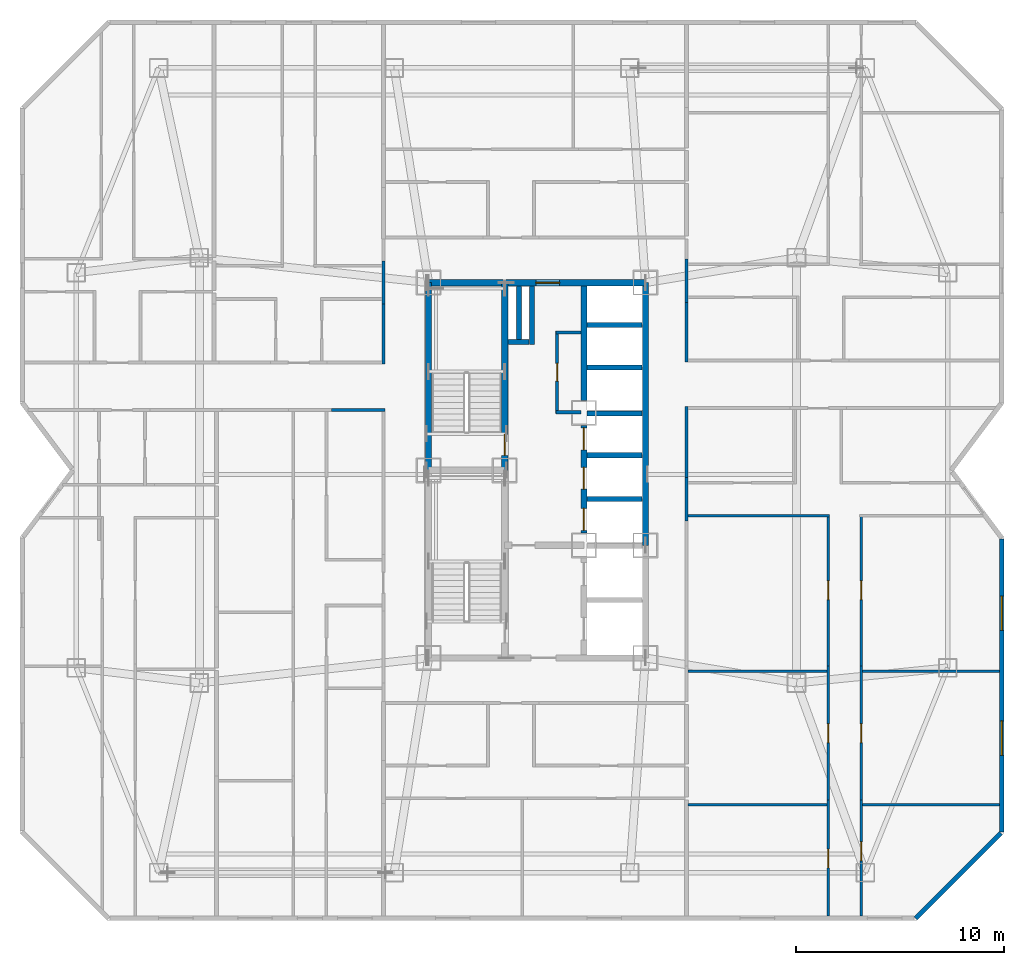
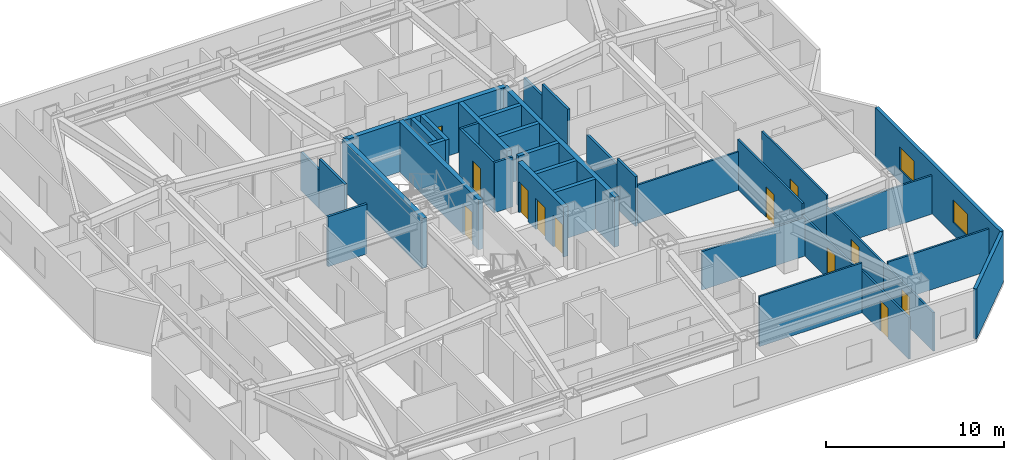
# One storey, part 8 of 12: 37 walls, 12 doors, 2 windows, 14 openings.
"""IFC4 building model written with IfcOpenShell, lengths in metres."""

from ifc_helpers import new_model, si_unit, direction, frame, frame_2d, origin, place, context, subcontext, project, spatial, rectangle, extrude, material, layer, layer_set, type_object, element, fill, save


model = new_model("IFC4")

# Units and contexts
model_context = context("Model", 3, precision=1e-05, world=origin(), true_north=direction((0.0, 1.0)))
body_context = subcontext(model_context, "Body", "Model", "MODEL_VIEW")
ifc_project = project(units=[si_unit("LENGTHUNIT", "METRE"), si_unit("AREAUNIT", "SQUARE_METRE"), si_unit("VOLUMEUNIT", "CUBIC_METRE"), si_unit("PLANEANGLEUNIT", "RADIAN"), si_unit("MASSUNIT", "GRAM", prefix="KILO")], contexts=[model_context])

# Site, building, storey
site_placement = place(None, origin())
site = spatial("IfcSite", under=ifc_project, at=site_placement, CompositionType="ELEMENT")
building_placement = place(site_placement, origin())
building = spatial("IfcBuilding", under=site, at=building_placement, Name="Khamvora Tower", CompositionType="ELEMENT")
storey_placement = place(building_placement, frame((0.0, 0.0, 138.39990234375)))
storey = spatial("IfcBuildingStorey", under=building, at=storey_placement, Name="L35", CompositionType="ELEMENT", Elevation=138.39990234375)

# Wall
ifc_material_1 = material(Name="Concrete C50/60", Category="concrete")
ifc_layer_1 = layer(ifc_material_1, 0.300048828125)
ifc_layer_set_1 = layer_set([ifc_layer_1], Name="Concrete C50/60")
wall_type_1 = type_object("IfcWallType", Name="WAL-CORE-300", PredefinedType="SHEAR", material=ifc_layer_set_1)
wall_1_placement = place(storey_placement, frame((29.0, 28.0, 0.0), z_axis=(0.0, 0.0, 1.0), x_axis=(0.0, 1.0, 0.0)))
element("IfcWall", 1, at=wall_1_placement, inside=storey, type_object=wall_type_1, Name="L35 central core west north wall", PredefinedType="SHEAR", context=body_context, shape_type="SweptSolid", body=[
    extrude(rectangle(XDim=9.0, YDim=0.300048828125, at=frame_2d((4.5, 0.0))), origin(), (0.0, 0.0, 1.0), 3.43017578125),
])

# Wall, opening, door
wall_2_placement = place(storey_placement, frame((29.0, 37.0, 0.0), z_axis=(0.0, 0.0, 1.0), x_axis=(1.0, 0.0, 0.0)))
wall_2 = element("IfcWall", 2, at=wall_2_placement, inside=storey, type_object=wall_type_1, Name="L35 central core north wall", PredefinedType="SHEAR", context=body_context, shape_type="SweptSolid", body=[
    extrude(rectangle(XDim=10.39990234375, YDim=0.300048828125, at=frame_2d((5.199951171875, 0.0))), origin(), (0.0, 0.0, 1.0), 3.43017578125),
])
opening_1_placement = place(wall_2_placement, frame((5.139892578125, 0.0, 0.0)))
opening_1 = element("IfcOpeningElement", 3, at=opening_1_placement, cuts=wall_2, Name="Opening D-SC1", PredefinedType="OPENING", context=body_context, shape_type="SweptSolid", body=[
    extrude(rectangle(XDim=1.14990234375, YDim=2.199951171875, at=frame_2d((0.574951171875, 1.10009765625))), frame((0.0, 0.159912109375, 0.0), z_axis=(0.0, -1.0, 0.0), x_axis=(1.0, 0.0, 0.0)), (0.0, 0.0, 1.0), 0.320068359375),
])
ifc_material_2 = material(Name="Powder-Coated Steel and Hardwood Leaf", Category="steel")
door_type_1 = type_object("IfcDoorType", Name="DOR-SCHL-1150", OperationType="NOTDEFINED", PredefinedType="DOOR", material=ifc_material_2)
door_1_placement = place(opening_1_placement, origin())
door_1 = element("IfcDoor", 4, at=door_1_placement, inside=storey, type_object=door_type_1, Name="L35 north core lobby to corridor fire door", OperationType="SINGLE_SWING_LEFT", OverallHeight=2.199951171875, OverallWidth=1.14990234375, PredefinedType="DOOR", context=body_context, shape_type="SweptSolid", body=[
    extrude(rectangle(XDim=1.14990234375, YDim=2.199951171875, at=frame_2d((0.574951171875, 1.10009765625))), frame((0.0, 0.02490234375, 0.0), z_axis=(0.0, -1.0, 0.0), x_axis=(1.0, 0.0, 0.0)), (0.0, 0.0, 1.0), 0.050048828125),
])
fill(opening_1, door_1)

# Wall
wall_3_placement = place(storey_placement, frame((39.39990234375, 24.39990234375, 0.0), z_axis=(0.0, 0.0, 1.0), x_axis=(0.0, 1.0, 0.0)))
element("IfcWall", 5, at=wall_3_placement, inside=storey, type_object=wall_type_1, Name="L35 central core east north wall", PredefinedType="SHEAR", context=body_context, shape_type="SweptSolid", body=[
    extrude(rectangle(XDim=12.60009765625, YDim=0.300048828125, at=frame_2d((6.300048828125, 0.0))), origin(), (0.0, 0.0, 1.0), 3.43017578125),
])

# Wall, opening, door
wall_4_placement = place(storey_placement, frame((32.64990234375, 28.0, 0.0), z_axis=(0.0, 0.0, 1.0), x_axis=(0.0, 1.0, 0.0)))
wall_4 = element("IfcWall", 6, at=wall_4_placement, inside=storey, type_object=wall_type_1, Name="L35 central core stair north spine wall", PredefinedType="SHEAR", context=body_context, shape_type="SweptSolid", body=[
    extrude(rectangle(XDim=9.0, YDim=0.300048828125, at=frame_2d((4.5, 0.0))), origin(), (0.0, 0.0, 1.0), 3.43017578125),
])
opening_2_placement = place(wall_4_placement, frame((0.719970703125, 0.0, 0.0)))
opening_2 = element("IfcOpeningElement", 7, at=opening_2_placement, cuts=wall_4, Name="Opening D-ST1", PredefinedType="OPENING", context=body_context, shape_type="SweptSolid", body=[
    extrude(rectangle(XDim=1.0, YDim=2.14990234375, at=frame_2d((0.5, 1.074951171875))), frame((0.0, 0.159912109375, 0.0), z_axis=(0.0, -1.0, 0.0), x_axis=(1.0, 0.0, 0.0)), (0.0, 0.0, 1.0), 0.320068359375),
])
door_type_2 = type_object("IfcDoorType", Name="DOR-STAIR-1000", OperationType="NOTDEFINED", PredefinedType="DOOR", material=ifc_material_2)
door_2_placement = place(opening_2_placement, origin())
door_2 = element("IfcDoor", 8, at=door_2_placement, inside=storey, type_object=door_type_2, Name="L35 exit stair ST-02 fire door", OperationType="SINGLE_SWING_RIGHT", OverallHeight=2.14990234375, OverallWidth=1.0, PredefinedType="DOOR", context=body_context, shape_type="SweptSolid", body=[
    extrude(rectangle(XDim=1.0, YDim=2.14990234375, at=frame_2d((0.5, 1.074951171875))), frame((0.0, 0.02490234375, 0.0), z_axis=(0.0, -1.0, 0.0), x_axis=(1.0, 0.0, 0.0)), (0.0, 0.0, 1.0), 0.050048828125),
])
fill(opening_2, door_2)

# Wall, openings, doors
wall_5_placement = place(storey_placement, frame((36.449951171875, 25.0, 0.0), z_axis=(0.0, 0.0, 1.0), x_axis=(0.0, 1.0, 0.0)))
wall_5 = element("IfcWall", 9, at=wall_5_placement, inside=storey, type_object=wall_type_1, Name="L35 central core lift bank central wall", PredefinedType="SHEAR", context=body_context, shape_type="SweptSolid", body=[
    extrude(rectangle(XDim=5.14990234375, YDim=0.300048828125, at=frame_2d((2.574951171875, 0.0))), origin(), (0.0, 0.0, 1.0), 3.43017578125),
])
opening_3_placement = place(wall_5_placement, frame((0.1201171875, 0.0, 0.0)))
opening_3 = element("IfcOpeningElement", 10, at=opening_3_placement, cuts=wall_5, Name="Opening LD-PL", PredefinedType="OPENING", context=body_context, shape_type="SweptSolid", body=[
    extrude(rectangle(XDim=1.050048828125, YDim=2.14990234375, at=frame_2d((0.52490234375, 1.074951171875))), frame((0.0, 0.159912109375, 0.0), z_axis=(0.0, -1.0, 0.0), x_axis=(1.0, 0.0, 0.0)), (0.0, 0.0, 1.0), 0.320068359375),
])
opening_4_placement = place(wall_5_placement, frame((2.094970703125, 0.0, 0.0)))
opening_4 = element("IfcOpeningElement", 11, at=opening_4_placement, cuts=wall_5, Name="Opening LD-PL", PredefinedType="OPENING", context=body_context, shape_type="SweptSolid", body=[
    extrude(rectangle(XDim=1.050048828125, YDim=2.14990234375, at=frame_2d((0.52490234375, 1.074951171875))), frame((0.0, 0.159912109375, 0.0), z_axis=(0.0, -1.0, 0.0), x_axis=(1.0, 0.0, 0.0)), (0.0, 0.0, 1.0), 0.320068359375),
])
opening_5_placement = place(wall_5_placement, frame((3.97998046875, 0.0, 0.0)))
opening_5 = element("IfcOpeningElement", 12, at=opening_5_placement, cuts=wall_5, Name="Opening LD-PL", PredefinedType="OPENING", context=body_context, shape_type="SweptSolid", body=[
    extrude(rectangle(XDim=1.050048828125, YDim=2.14990234375, at=frame_2d((0.52490234375, 1.074951171875))), frame((0.0, 0.159912109375, 0.0), z_axis=(0.0, -1.0, 0.0), x_axis=(1.0, 0.0, 0.0)), (0.0, 0.0, 1.0), 0.320068359375),
])
door_type_3 = type_object("IfcDoorType", Name="DOR-LIFT-1050", OperationType="SLIDING_TO_LEFT", PredefinedType="DOOR", material=ifc_material_2)
door_3_placement = place(opening_3_placement, origin())
door_3 = element("IfcDoor", 13, at=door_3_placement, inside=storey, type_object=door_type_3, Name="L35 lift landing sliding door PL-01", OperationType="SLIDING_TO_LEFT", OverallHeight=2.14990234375, OverallWidth=1.050048828125, PredefinedType="DOOR", context=body_context, shape_type="SweptSolid", body=[
    extrude(rectangle(XDim=1.050048828125, YDim=2.14990234375, at=frame_2d((0.52490234375, 1.074951171875))), frame((0.0, 0.02490234375, 0.0), z_axis=(0.0, -1.0, 0.0), x_axis=(1.0, 0.0, 0.0)), (0.0, 0.0, 1.0), 0.050048828125),
])
fill(opening_3, door_3)
door_4_placement = place(opening_4_placement, origin())
door_4 = element("IfcDoor", 14, at=door_4_placement, inside=storey, type_object=door_type_3, Name="L35 lift landing sliding door PL-02", OperationType="SLIDING_TO_LEFT", OverallHeight=2.14990234375, OverallWidth=1.050048828125, PredefinedType="DOOR", context=body_context, shape_type="SweptSolid", body=[
    extrude(rectangle(XDim=1.050048828125, YDim=2.14990234375, at=frame_2d((0.52490234375, 1.074951171875))), frame((0.0, 0.02490234375, 0.0), z_axis=(0.0, -1.0, 0.0), x_axis=(1.0, 0.0, 0.0)), (0.0, 0.0, 1.0), 0.050048828125),
])
fill(opening_4, door_4)
door_5_placement = place(opening_5_placement, origin())
door_5 = element("IfcDoor", 15, at=door_5_placement, inside=storey, type_object=door_type_3, Name="L35 lift landing sliding door PL-03", OperationType="SLIDING_TO_LEFT", OverallHeight=2.14990234375, OverallWidth=1.050048828125, PredefinedType="DOOR", context=body_context, shape_type="SweptSolid", body=[
    extrude(rectangle(XDim=1.050048828125, YDim=2.14990234375, at=frame_2d((0.52490234375, 1.074951171875))), frame((0.0, 0.02490234375, 0.0), z_axis=(0.0, -1.0, 0.0), x_axis=(1.0, 0.0, 0.0)), (0.0, 0.0, 1.0), 0.050048828125),
])
fill(opening_5, door_5)

# Walls
wall_6_placement = place(storey_placement, frame((36.449951171875, 31.35009765625, 0.0), z_axis=(0.0, 0.0, 1.0), x_axis=(0.0, 1.0, 0.0)))
element("IfcWall", 16, at=wall_6_placement, inside=storey, type_object=wall_type_1, Name="L35 central core lift bank north wall", PredefinedType="SHEAR", context=body_context, shape_type="SweptSolid", body=[
    extrude(rectangle(XDim=5.495849609375, YDim=0.300048828125, at=frame_2d((2.748046875, 0.0))), origin(), (0.0, 0.0, 1.0), 3.43017578125),
])
ifc_material_3 = material(Name="Fire-Rated Drywall and Steel Stud", Category="steel")
ifc_layer_2 = layer(ifc_material_3, 0.14990234375)
ifc_layer_set_2 = layer_set([ifc_layer_2], Name="Fire-Rated Drywall and Steel Stud")
wall_type_2 = type_object("IfcWallType", Name="WAL-CORR-150", PredefinedType="STANDARD", material=ifc_layer_set_2)
wall_7_placement = place(storey_placement, frame((36.305908203125, 34.614990234375, 0.0), z_axis=(0.0, 0.0, 1.0), x_axis=(-1.0, 0.0, 0.0)))
element("IfcWall", 17, at=wall_7_placement, inside=storey, type_object=wall_type_2, Name="L35 interior partition wall 001", PredefinedType="STANDARD", context=body_context, shape_type="SweptSolid", body=[
    extrude(rectangle(XDim=1.205810546875, YDim=0.14990234375, at=frame_2d((0.60302734375, 0.0))), origin(), (0.0, 0.0, 1.0), 3.43017578125),
])

# Wall, opening, door
wall_8_placement = place(storey_placement, frame((35.1650390625, 34.677978515625, 0.0), z_axis=(0.0, 0.0, 1.0), x_axis=(0.0, -1.0, 0.0)))
wall_8 = element("IfcWall", 18, at=wall_8_placement, inside=storey, type_object=wall_type_2, Name="L35 interior partition wall 002", PredefinedType="STANDARD", context=body_context, shape_type="SweptSolid", body=[
    extrude(rectangle(XDim=3.9580078125, YDim=0.14990234375, at=frame_2d((1.97900390625, 0.0))), origin(), (0.0, 0.0, 1.0), 3.43017578125),
])
opening_6_placement = place(wall_8_placement, frame((1.553955078125, 0.0, 0.0)))
opening_6 = element("IfcOpeningElement", 19, at=opening_6_placement, cuts=wall_8, Name="Opening D-WC1", PredefinedType="OPENING", context=body_context, shape_type="SweptSolid", body=[
    extrude(rectangle(XDim=0.85009765625, YDim=2.10009765625, at=frame_2d((0.425048828125, 1.050048828125))), frame((0.0, 0.0849609375, 0.0), z_axis=(0.0, -1.0, 0.0), x_axis=(1.0, 0.0, 0.0)), (0.0, 0.0, 1.0), 0.169921875),
])
door_type_4 = type_object("IfcDoorType", Name="DOR-WET-850", OperationType="NOTDEFINED", PredefinedType="DOOR", material=ifc_material_2)
door_6_placement = place(opening_6_placement, origin())
door_6 = element("IfcDoor", 20, at=door_6_placement, inside=storey, type_object=door_type_4, Name="L35 interior door PLL-CS1", OperationType="SINGLE_SWING_RIGHT", OverallHeight=2.10009765625, OverallWidth=0.85009765625, PredefinedType="DOOR", context=body_context, shape_type="SweptSolid", body=[
    extrude(rectangle(XDim=0.85009765625, YDim=2.10009765625, at=frame_2d((0.425048828125, 1.050048828125))), frame((0.0, 0.02490234375, 0.0), z_axis=(0.0, -1.0, 0.0), x_axis=(1.0, 0.0, 0.0)), (0.0, 0.0, 1.0), 0.050048828125),
])
fill(opening_6, door_6)

# Walls
wall_9_placement = place(storey_placement, frame((35.10205078125, 30.784912109375, 0.0), z_axis=(0.0, 0.0, 1.0), x_axis=(1.0, 0.0, 0.0)))
element("IfcWall", 21, at=wall_9_placement, inside=storey, type_object=wall_type_2, Name="L35 interior partition wall 003", PredefinedType="STANDARD", context=body_context, shape_type="SweptSolid", body=[
    extrude(rectangle(XDim=1.197998046875, YDim=0.14990234375, at=frame_2d((0.59912109375, 0.0))), origin(), (0.0, 0.0, 1.0), 3.43017578125),
])
wall_10_placement = place(storey_placement, frame((26.89794921875, 30.885009765625, 0.0), z_axis=(0.0, 0.0, 1.0), x_axis=(-1.0, 0.0, 0.0)))
element("IfcWall", 22, at=wall_10_placement, inside=storey, type_object=wall_type_2, Name="L35 interior partition wall 012", PredefinedType="STANDARD", context=body_context, shape_type="SweptSolid", body=[
    extrude(rectangle(XDim=2.551025390625, YDim=0.14990234375, at=frame_2d((1.275390625, 0.0))), origin(), (0.0, 0.0, 1.0), 3.43017578125),
])
wall_11_placement = place(storey_placement, frame((26.8349609375, 35.972900390625, 0.0), z_axis=(0.0, 0.0, 1.0), x_axis=(0.0, 1.0, 0.0)))
element("IfcWall", 23, at=wall_11_placement, inside=storey, type_object=wall_type_2, Name="L35 interior partition wall 017", PredefinedType="STANDARD", context=body_context, shape_type="SweptSolid", body=[
    extrude(rectangle(XDim=2.078125, YDim=0.14990234375, at=frame_2d((1.0390625, 0.0))), origin(), (0.0, 0.0, 1.0), 2.647216796875),
])
wall_12_placement = place(storey_placement, frame((26.8349609375, 33.10009765625, 0.0), z_axis=(0.0, 0.0, 1.0), x_axis=(0.0, 1.0, 0.0)))
element("IfcWall", 24, at=wall_12_placement, inside=storey, type_object=wall_type_2, Name="L35 interior partition wall 020", PredefinedType="STANDARD", context=body_context, shape_type="SweptSolid", body=[
    extrude(rectangle(XDim=2.872802734375, YDim=0.14990234375, at=frame_2d((1.4365234375, 0.0))), origin(), (0.0, 0.0, 1.0), 3.43017578125),
])
wall_13_placement = place(storey_placement, frame((41.364990234375, 27.654052734375, 0.0), z_axis=(0.0, 0.0, 1.0), x_axis=(0.0, -1.0, 0.0)))
element("IfcWall", 25, at=wall_13_placement, inside=storey, type_object=wall_type_2, Name="L35 interior partition wall 030", PredefinedType="STANDARD", context=body_context, shape_type="SweptSolid", body=[
    extrude(rectangle(XDim=2.078125, YDim=0.14990234375, at=frame_2d((1.0390625, 0.0))), origin(), (0.0, 0.0, 1.0), 3.43017578125),
])
wall_14_placement = place(storey_placement, frame((41.364990234375, 31.050048828125, 0.0), z_axis=(0.0, 0.0, 1.0), x_axis=(0.0, -1.0, 0.0)))
element("IfcWall", 26, at=wall_14_placement, inside=storey, type_object=wall_type_2, Name="L35 interior partition wall 032", PredefinedType="STANDARD", context=body_context, shape_type="SweptSolid", body=[
    extrude(rectangle(XDim=3.39599609375, YDim=0.14990234375, at=frame_2d((1.697998046875, 0.0))), origin(), (0.0, 0.0, 1.0), 3.01318359375),
])
wall_15_placement = place(storey_placement, frame((41.364990234375, 38.133056640625, 0.0), z_axis=(0.0, 0.0, 1.0), x_axis=(0.0, -1.0, 0.0)))
element("IfcWall", 27, at=wall_15_placement, inside=storey, type_object=wall_type_2, Name="L35 interior partition wall 036", PredefinedType="STANDARD", context=body_context, shape_type="SweptSolid", body=[
    extrude(rectangle(XDim=2.078125, YDim=0.14990234375, at=frame_2d((1.0390625, 0.0))), origin(), (0.0, 0.0, 1.0), 2.647216796875),
])
wall_16_placement = place(storey_placement, frame((41.364990234375, 36.054931640625, 0.0), z_axis=(0.0, 0.0, 1.0), x_axis=(0.0, -1.0, 0.0)))
element("IfcWall", 28, at=wall_16_placement, inside=storey, type_object=wall_type_2, Name="L35 interior partition wall 038", PredefinedType="STANDARD", context=body_context, shape_type="SweptSolid", body=[
    extrude(rectangle(XDim=2.85498046875, YDim=0.14990234375, at=frame_2d((1.427490234375, 0.0))), origin(), (0.0, 0.0, 1.0), 3.43017578125),
])

# Wall, openings, windows
ifc_material_4 = material(Name="Precast concrete C40/50", Category="concrete")
ifc_layer_3 = layer(ifc_material_4, 0.219970703125)
ifc_layer_set_3 = layer_set([ifc_layer_3], Name="Precast concrete C40/50")
wall_type_3 = type_object("IfcWallType", Name="WAL-EXT-220", PredefinedType="STANDARD", material=ifc_layer_set_3)
wall_17_placement = place(storey_placement, frame((56.489990234375, 24.70703125, 0.0), z_axis=(0.0, 0.0, 1.0), x_axis=(0.0, -1.0, 0.0)))
wall_17 = element("IfcWall", 29, at=wall_17_placement, inside=storey, type_object=wall_type_3, Name="L35 exterior facade wall 12.1", PredefinedType="STANDARD", context=body_context, shape_type="SweptSolid", body=[
    extrude(rectangle(XDim=14.06103515625, YDim=0.219970703125, at=frame_2d((7.030517578125, 0.0))), origin(), (0.0, 0.0, 1.0), 3.43017578125),
])
opening_7_placement = place(wall_17_placement, frame((8.72705078125, 0.0, 0.85009765625)))
opening_7 = element("IfcOpeningElement", 30, at=opening_7_placement, cuts=wall_17, Name="Opening WN-06", PredefinedType="OPENING", context=body_context, shape_type="SweptSolid", body=[
    extrude(rectangle(XDim=1.64990234375, YDim=1.550048828125, at=frame_2d((0.824951171875, 0.77490234375))), frame((0.0, 0.119873046875, 0.0), z_axis=(0.0, -1.0, 0.0), x_axis=(1.0, 0.0, 0.0)), (0.0, 0.0, 1.0), 0.239990234375),
])
opening_8_placement = place(wall_17_placement, frame((2.739013671875, 0.0, 0.85009765625)))
opening_8 = element("IfcOpeningElement", 31, at=opening_8_placement, cuts=wall_17, Name="Opening WN-06", PredefinedType="OPENING", context=body_context, shape_type="SweptSolid", body=[
    extrude(rectangle(XDim=1.64990234375, YDim=1.550048828125, at=frame_2d((0.824951171875, 0.77490234375))), frame((0.0, 0.119873046875, 0.0), z_axis=(0.0, -1.0, 0.0), x_axis=(1.0, 0.0, 0.0)), (0.0, 0.0, 1.0), 0.239990234375),
])
ifc_material_5 = material(Name="Low-E Laminated Double Glazing", Category="glass")
window_type = type_object("IfcWindowType", Name="WIN-VIS-1650x1550", PartitioningType="SINGLE_PANEL", PredefinedType="WINDOW", material=ifc_material_5)
window_1_placement = place(opening_7_placement, origin())
window_1 = element("IfcWindow", 32, at=window_1_placement, inside=storey, type_object=window_type, Name="L35 vision window 12.1.01", OverallHeight=1.550048828125, OverallWidth=1.64990234375, PartitioningType="SINGLE_PANEL", PredefinedType="WINDOW", context=body_context, shape_type="SweptSolid", body=[
    extrude(rectangle(XDim=1.64990234375, YDim=1.550048828125, at=frame_2d((0.824951171875, 0.77490234375))), frame((0.0, 0.030029296875, 0.0), z_axis=(0.0, -1.0, 0.0), x_axis=(1.0, 0.0, 0.0)), (0.0, 0.0, 1.0), 0.06005859375),
])
fill(opening_7, window_1)
window_2_placement = place(opening_8_placement, origin())
window_2 = element("IfcWindow", 33, at=window_2_placement, inside=storey, type_object=window_type, Name="L35 vision window 12.1.02", OverallHeight=1.550048828125, OverallWidth=1.64990234375, PartitioningType="SINGLE_PANEL", PredefinedType="WINDOW", context=body_context, shape_type="SweptSolid", body=[
    extrude(rectangle(XDim=1.64990234375, YDim=1.550048828125, at=frame_2d((0.824951171875, 0.77490234375))), frame((0.0, 0.030029296875, 0.0), z_axis=(0.0, -1.0, 0.0), x_axis=(1.0, 0.0, 0.0)), (0.0, 0.0, 1.0), 0.06005859375),
])
fill(opening_8, window_2)

# Wall
wall_18_placement = place(storey_placement, frame((56.43994140625, 10.595947265625, 0.0), z_axis=(0.0, 0.0, 1.0), x_axis=(-0.707106781187, -0.707106781187, 0.0)))
element("IfcWall", 34, at=wall_18_placement, inside=storey, type_object=wall_type_3, Name="L35 exterior facade wall 13.1", PredefinedType="STANDARD", context=body_context, shape_type="SweptSolid", body=[
    extrude(rectangle(XDim=5.7783203125, YDim=0.219970703125, at=frame_2d((2.88916015625, 0.0))), origin(), (0.0, 0.0, 1.0), 3.43017578125),
])

# Wall, opening, door
ifc_material_6 = material(Name="Gypsum Plasterboard Partition", Category="gypsum")
ifc_layer_4 = layer(ifc_material_6, 0.1201171875)
ifc_layer_set_4 = layer_set([ifc_layer_4], Name="Gypsum Plasterboard Partition")
wall_type_4 = type_object("IfcWallType", Name="WAL-PART-120", PredefinedType="PARTITIONING", material=ifc_layer_set_4)
wall_19_placement = place(storey_placement, frame((48.175048828125, 6.612060546875, 0.0), z_axis=(0.0, 0.0, 1.0), x_axis=(0.0, 1.0, 0.0)))
wall_19 = element("IfcWall", 35, at=wall_19_placement, inside=storey, type_object=wall_type_4, Name="L35 interior partition wall 122", PredefinedType="PARTITIONING", context=body_context, shape_type="SweptSolid", body=[
    extrude(rectangle(XDim=5.583984375, YDim=0.1201171875, at=frame_2d((2.7919921875, 0.0))), origin(), (0.0, 0.0, 1.0), 2.8759765625),
])
opening_9_placement = place(wall_19_placement, frame((2.321044921875, 0.0, 0.0)))
opening_9 = element("IfcOpeningElement", 36, at=opening_9_placement, cuts=wall_19, Name="Opening D-RM1", PredefinedType="OPENING", context=body_context, shape_type="SweptSolid", body=[
    extrude(rectangle(XDim=0.89990234375, YDim=2.10009765625, at=frame_2d((0.449951171875, 1.050048828125))), frame((0.0, 0.070068359375, 0.0), z_axis=(0.0, -1.0, 0.0), x_axis=(1.0, 0.0, 0.0)), (0.0, 0.0, 1.0), 0.14013671875),
])
door_type_5 = type_object("IfcDoorType", Name="DOR-ROOM-900", OperationType="NOTDEFINED", PredefinedType="DOOR", material=ifc_material_2)
door_7_placement = place(opening_9_placement, origin())
door_7 = element("IfcDoor", 37, at=door_7_placement, inside=storey, type_object=door_type_5, Name="L35 interior door 35EAH-35EAR1", OperationType="SINGLE_SWING_LEFT", OverallHeight=2.10009765625, OverallWidth=0.89990234375, PredefinedType="DOOR", context=body_context, shape_type="SweptSolid", body=[
    extrude(rectangle(XDim=0.89990234375, YDim=2.10009765625, at=frame_2d((0.449951171875, 1.050048828125))), frame((0.0, 0.02490234375, 0.0), z_axis=(0.0, -1.0, 0.0), x_axis=(1.0, 0.0, 0.0)), (0.0, 0.0, 1.0), 0.050048828125),
])
fill(opening_9, door_7)

wall_20_placement = place(storey_placement, frame((48.175048828125, 12.196044921875, 0.0), z_axis=(0.0, 0.0, 1.0), x_axis=(0.0, 1.0, 0.0)))
wall_20 = element("IfcWall", 38, at=wall_20_placement, inside=storey, type_object=wall_type_4, Name="L35 interior partition wall 123", PredefinedType="PARTITIONING", context=body_context, shape_type="SweptSolid", body=[
    extrude(rectangle(XDim=6.416015625, YDim=0.1201171875, at=frame_2d((3.2080078125, 0.0))), origin(), (0.0, 0.0, 1.0), 2.647216796875),
])
opening_10_placement = place(wall_20_placement, frame((2.737060546875, 0.0, 0.0)))
opening_10 = element("IfcOpeningElement", 39, at=opening_10_placement, cuts=wall_20, Name="Opening D-RM1", PredefinedType="OPENING", context=body_context, shape_type="SweptSolid", body=[
    extrude(rectangle(XDim=0.89990234375, YDim=2.10009765625, at=frame_2d((0.449951171875, 1.050048828125))), frame((0.0, 0.070068359375, 0.0), z_axis=(0.0, -1.0, 0.0), x_axis=(1.0, 0.0, 0.0)), (0.0, 0.0, 1.0), 0.14013671875),
])
door_8_placement = place(opening_10_placement, origin())
door_8 = element("IfcDoor", 40, at=door_8_placement, inside=storey, type_object=door_type_5, Name="L35 interior door 35EAH-35EAR2", OperationType="SINGLE_SWING_RIGHT", OverallHeight=2.10009765625, OverallWidth=0.89990234375, PredefinedType="DOOR", context=body_context, shape_type="SweptSolid", body=[
    extrude(rectangle(XDim=0.89990234375, YDim=2.10009765625, at=frame_2d((0.449951171875, 1.050048828125))), frame((0.0, 0.02490234375, 0.0), z_axis=(0.0, -1.0, 0.0), x_axis=(1.0, 0.0, 0.0)), (0.0, 0.0, 1.0), 0.050048828125),
])
fill(opening_10, door_8)

wall_21_placement = place(storey_placement, frame((48.175048828125, 18.612060546875, 0.0), z_axis=(0.0, 0.0, 1.0), x_axis=(0.0, 1.0, 0.0)))
wall_21 = element("IfcWall", 41, at=wall_21_placement, inside=storey, type_object=wall_type_4, Name="L35 interior partition wall 124", PredefinedType="PARTITIONING", context=body_context, shape_type="SweptSolid", body=[
    extrude(rectangle(XDim=7.27783203125, YDim=0.1201171875, at=frame_2d((3.638916015625, 0.0))), origin(), (0.0, 0.0, 1.0), 3.43017578125),
])
opening_11_placement = place(wall_21_placement, frame((3.18896484375, 0.0, 0.0)))
opening_11 = element("IfcOpeningElement", 42, at=opening_11_placement, cuts=wall_21, Name="Opening D-RM1", PredefinedType="OPENING", context=body_context, shape_type="SweptSolid", body=[
    extrude(rectangle(XDim=0.89990234375, YDim=2.10009765625, at=frame_2d((0.449951171875, 1.050048828125))), frame((0.0, 0.070068359375, 0.0), z_axis=(0.0, -1.0, 0.0), x_axis=(1.0, 0.0, 0.0)), (0.0, 0.0, 1.0), 0.14013671875),
])
door_9_placement = place(opening_11_placement, origin())
door_9 = element("IfcDoor", 43, at=door_9_placement, inside=storey, type_object=door_type_5, Name="L35 interior door 35EAH-35EAR3", OperationType="SINGLE_SWING_LEFT", OverallHeight=2.10009765625, OverallWidth=0.89990234375, PredefinedType="DOOR", context=body_context, shape_type="SweptSolid", body=[
    extrude(rectangle(XDim=0.89990234375, YDim=2.10009765625, at=frame_2d((0.449951171875, 1.050048828125))), frame((0.0, 0.02490234375, 0.0), z_axis=(0.0, -1.0, 0.0), x_axis=(1.0, 0.0, 0.0)), (0.0, 0.0, 1.0), 0.050048828125),
])
fill(opening_11, door_9)

# Wall
wall_22_placement = place(storey_placement, frame((48.239990234375, 25.824951171875, 0.0), z_axis=(0.0, 0.0, 1.0), x_axis=(-1.0, 0.0, 0.0)))
element("IfcWall", 44, at=wall_22_placement, inside=storey, type_object=wall_type_4, Name="L35 interior partition wall 125", PredefinedType="PARTITIONING", context=body_context, shape_type="SweptSolid", body=[
    extrude(rectangle(XDim=6.80810546875, YDim=0.1201171875, at=frame_2d((3.404052734375, 0.0))), origin(), (0.0, 0.0, 1.0), 2.647216796875),
])

# Wall, opening, door
wall_23_placement = place(storey_placement, frame((49.7451171875, 12.196044921875, 0.0), z_axis=(0.0, 0.0, 1.0), x_axis=(0.0, -1.0, 0.0)))
wall_23 = element("IfcWall", 45, at=wall_23_placement, inside=storey, type_object=wall_type_4, Name="L35 interior partition wall 126", PredefinedType="PARTITIONING", context=body_context, shape_type="SweptSolid", body=[
    extrude(rectangle(XDim=5.583984375, YDim=0.1201171875, at=frame_2d((2.7919921875, 0.0))), origin(), (0.0, 0.0, 1.0), 2.647216796875),
])
opening_12_placement = place(wall_23_placement, frame((2.01708984375, 0.0, 0.0)))
opening_12 = element("IfcOpeningElement", 46, at=opening_12_placement, cuts=wall_23, Name="Opening D-RM1", PredefinedType="OPENING", context=body_context, shape_type="SweptSolid", body=[
    extrude(rectangle(XDim=0.89990234375, YDim=2.10009765625, at=frame_2d((0.449951171875, 1.050048828125))), frame((0.0, 0.070068359375, 0.0), z_axis=(0.0, -1.0, 0.0), x_axis=(1.0, 0.0, 0.0)), (0.0, 0.0, 1.0), 0.14013671875),
])
door_10_placement = place(opening_12_placement, origin())
door_10 = element("IfcDoor", 47, at=door_10_placement, inside=storey, type_object=door_type_5, Name="L35 interior door 35EAH-35EAR4", OperationType="SINGLE_SWING_LEFT", OverallHeight=2.10009765625, OverallWidth=0.89990234375, PredefinedType="DOOR", context=body_context, shape_type="SweptSolid", body=[
    extrude(rectangle(XDim=0.89990234375, YDim=2.10009765625, at=frame_2d((0.449951171875, 1.050048828125))), frame((0.0, 0.02490234375, 0.0), z_axis=(0.0, -1.0, 0.0), x_axis=(1.0, 0.0, 0.0)), (0.0, 0.0, 1.0), 0.050048828125),
])
fill(opening_12, door_10)

wall_24_placement = place(storey_placement, frame((49.7451171875, 18.612060546875, 0.0), z_axis=(0.0, 0.0, 1.0), x_axis=(0.0, -1.0, 0.0)))
wall_24 = element("IfcWall", 48, at=wall_24_placement, inside=storey, type_object=wall_type_4, Name="L35 interior partition wall 127", PredefinedType="PARTITIONING", context=body_context, shape_type="SweptSolid", body=[
    extrude(rectangle(XDim=6.416015625, YDim=0.1201171875, at=frame_2d((3.2080078125, 0.0))), origin(), (0.0, 0.0, 1.0), 2.647216796875),
])
opening_13_placement = place(wall_24_placement, frame((2.779052734375, 0.0, 0.0)))
opening_13 = element("IfcOpeningElement", 49, at=opening_13_placement, cuts=wall_24, Name="Opening D-RM1", PredefinedType="OPENING", context=body_context, shape_type="SweptSolid", body=[
    extrude(rectangle(XDim=0.89990234375, YDim=2.10009765625, at=frame_2d((0.449951171875, 1.050048828125))), frame((0.0, 0.070068359375, 0.0), z_axis=(0.0, -1.0, 0.0), x_axis=(1.0, 0.0, 0.0)), (0.0, 0.0, 1.0), 0.14013671875),
])
door_11_placement = place(opening_13_placement, origin())
door_11 = element("IfcDoor", 50, at=door_11_placement, inside=storey, type_object=door_type_5, Name="L35 interior door 35EAH-35EAR5", OperationType="SINGLE_SWING_RIGHT", OverallHeight=2.10009765625, OverallWidth=0.89990234375, PredefinedType="DOOR", context=body_context, shape_type="SweptSolid", body=[
    extrude(rectangle(XDim=0.89990234375, YDim=2.10009765625, at=frame_2d((0.449951171875, 1.050048828125))), frame((0.0, 0.02490234375, 0.0), z_axis=(0.0, -1.0, 0.0), x_axis=(1.0, 0.0, 0.0)), (0.0, 0.0, 1.0), 0.050048828125),
])
fill(opening_13, door_11)

wall_25_placement = place(storey_placement, frame((49.7451171875, 25.889892578125, 0.0), z_axis=(0.0, 0.0, 1.0), x_axis=(0.0, -1.0, 0.0)))
wall_25 = element("IfcWall", 51, at=wall_25_placement, inside=storey, type_object=wall_type_4, Name="L35 interior partition wall 129", PredefinedType="PARTITIONING", context=body_context, shape_type="SweptSolid", body=[
    extrude(rectangle(XDim=7.27783203125, YDim=0.1201171875, at=frame_2d((3.638916015625, 0.0))), origin(), (0.0, 0.0, 1.0), 3.43017578125),
])
opening_14_placement = place(wall_25_placement, frame((3.18896484375, 0.0, 0.0)))
opening_14 = element("IfcOpeningElement", 52, at=opening_14_placement, cuts=wall_25, Name="Opening D-RM1", PredefinedType="OPENING", context=body_context, shape_type="SweptSolid", body=[
    extrude(rectangle(XDim=0.89990234375, YDim=2.10009765625, at=frame_2d((0.449951171875, 1.050048828125))), frame((0.0, 0.070068359375, 0.0), z_axis=(0.0, -1.0, 0.0), x_axis=(1.0, 0.0, 0.0)), (0.0, 0.0, 1.0), 0.14013671875),
])
door_12_placement = place(opening_14_placement, origin())
door_12 = element("IfcDoor", 53, at=door_12_placement, inside=storey, type_object=door_type_5, Name="L35 interior door 35EAH-35EAR6", OperationType="SINGLE_SWING_LEFT", OverallHeight=2.10009765625, OverallWidth=0.89990234375, PredefinedType="DOOR", context=body_context, shape_type="SweptSolid", body=[
    extrude(rectangle(XDim=0.89990234375, YDim=2.10009765625, at=frame_2d((0.449951171875, 1.050048828125))), frame((0.0, 0.02490234375, 0.0), z_axis=(0.0, -1.0, 0.0), x_axis=(1.0, 0.0, 0.0)), (0.0, 0.0, 1.0), 0.050048828125),
])
fill(opening_14, door_12)

# Walls
wall_26_placement = place(storey_placement, frame((41.447021484375, 11.946044921875, 0.0), z_axis=(0.0, 0.0, 1.0), x_axis=(1.0, 0.0, 0.0)))
element("IfcWall", 54, at=wall_26_placement, inside=storey, type_object=wall_type_4, Name="L35 interior partition wall 130", PredefinedType="PARTITIONING", context=body_context, shape_type="SweptSolid", body=[
    extrude(rectangle(XDim=6.674072265625, YDim=0.1201171875, at=frame_2d((3.3369140625, 0.0))), origin(), (0.0, 0.0, 1.0), 3.43017578125),
])
wall_27_placement = place(storey_placement, frame((41.431884765625, 18.363037109375, 0.0), z_axis=(0.0, 0.0, 1.0), x_axis=(1.0, 0.0, 0.0)))
element("IfcWall", 55, at=wall_27_placement, inside=storey, type_object=wall_type_4, Name="L35 interior partition wall 131", PredefinedType="PARTITIONING", context=body_context, shape_type="SweptSolid", body=[
    extrude(rectangle(XDim=6.689208984375, YDim=0.1201171875, at=frame_2d((3.3447265625, 0.0))), origin(), (0.0, 0.0, 1.0), 2.647216796875),
])
wall_28_placement = place(storey_placement, frame((49.799072265625, 11.946044921875, 0.0), z_axis=(0.0, 0.0, 1.0), x_axis=(1.0, 0.0, 0.0)))
element("IfcWall", 56, at=wall_28_placement, inside=storey, type_object=wall_type_4, Name="L35 interior partition wall 132", PredefinedType="PARTITIONING", context=body_context, shape_type="SweptSolid", body=[
    extrude(rectangle(XDim=6.5888671875, YDim=0.1201171875, at=frame_2d((3.29443359375, 0.0))), origin(), (0.0, 0.0, 1.0), 2.8759765625),
])
wall_29_placement = place(storey_placement, frame((49.799072265625, 18.363037109375, 0.0), z_axis=(0.0, 0.0, 1.0), x_axis=(1.0, 0.0, 0.0)))
element("IfcWall", 57, at=wall_29_placement, inside=storey, type_object=wall_type_4, Name="L35 interior partition wall 133", PredefinedType="PARTITIONING", context=body_context, shape_type="SweptSolid", body=[
    extrude(rectangle(XDim=6.5888671875, YDim=0.1201171875, at=frame_2d((3.29443359375, 0.0))), origin(), (0.0, 0.0, 1.0), 2.647216796875),
])
ifc_material_7 = material(Name="Concrete C40/50", Category="concrete")
ifc_layer_5 = layer(ifc_material_7, 0.25)
ifc_layer_set_5 = layer_set([ifc_layer_5], Name="Concrete C40/50")
wall_type_5 = type_object("IfcWallType", Name="WAL-PODS-250", PredefinedType="SHEAR", material=ifc_layer_set_5)
for number, where, z_axis, x_axis, name in (
    (58, (36.60400390625, 26.625, 0.0), (0.0, 0.0, 1.0), (1.0, 0.0, 0.0), "L35 lift shaft divider wall PL-01"),
    (59, (36.60400390625, 28.72509765625, 0.0), (0.0, 0.0, 1.0), (1.0, 0.0, 0.0), "L35 lift shaft divider wall PL-02"),
    (60, (36.60400390625, 30.72509765625, 0.0), (0.0, 0.0, 1.0), (1.0, 0.0, 0.0), "L35 lift shaft divider wall PL-03"),
    (61, (36.60400390625, 32.925048828125, 0.0), (0.0, 0.0, 1.0), (1.0, 0.0, 0.0), "L35 lift shaft divider wall PH-01"),
    (62, (36.60400390625, 34.97509765625, 0.0), (0.0, 0.0, 1.0), (1.0, 0.0, 0.0), "L35 lift shaft divider wall PH-02"),
):
    element("IfcWall", number, at=place(storey_placement, frame(where, z_axis=z_axis, x_axis=x_axis)), inside=storey, type_object=wall_type_5, Name=name, PredefinedType="SHEAR", context=body_context, shape_type="SweptSolid", body=[
        extrude(rectangle(XDim=2.64208984375, YDim=0.25, at=frame_2d((1.321044921875, 0.0))), origin(), (0.0, 0.0, 1.0), 3.43017578125),
    ])
wall_30_placement = place(storey_placement, frame((33.955078125, 34.02490234375, 0.0), z_axis=(0.0, 0.0, 1.0), x_axis=(0.0, 1.0, 0.0)))
element("IfcWall", 63, at=wall_30_placement, inside=storey, type_object=wall_type_5, Name="L35 vertical MEP riser shaft east enclosure wall", PredefinedType="SHEAR", context=body_context, shape_type="SweptSolid", body=[
    extrude(rectangle(XDim=2.821044921875, YDim=0.25, at=frame_2d((1.41064453125, 0.0))), origin(), (0.0, 0.0, 1.0), 3.43017578125),
])
wall_31_placement = place(storey_placement, frame((32.803955078125, 34.14990234375, 0.0), z_axis=(0.0, 0.0, 1.0), x_axis=(1.0, 0.0, 0.0)))
element("IfcWall", 64, at=wall_31_placement, inside=storey, type_object=wall_type_5, Name="L35 vertical MEP riser shaft south enclosure wall", PredefinedType="SHEAR", context=body_context, shape_type="SweptSolid", body=[
    extrude(rectangle(XDim=1.02197265625, YDim=0.25, at=frame_2d((0.510986328125, 0.0))), origin(), (0.0, 0.0, 1.0), 3.43017578125),
])
wall_32_placement = place(storey_placement, frame((33.340087890625, 34.279052734375, 0.0), z_axis=(0.0, 0.0, 1.0), x_axis=(0.0, 1.0, 0.0)))
element("IfcWall", 65, at=wall_32_placement, inside=storey, type_object=wall_type_5, Name="L35 vertical MEP riser shaft divider enclosure wall", PredefinedType="SHEAR", context=body_context, shape_type="SweptSolid", body=[
    extrude(rectangle(XDim=2.56689453125, YDim=0.25, at=frame_2d((1.283447265625, 0.0))), origin(), (0.0, 0.0, 1.0), 3.43017578125),
])

save(model, "model.ifc")
